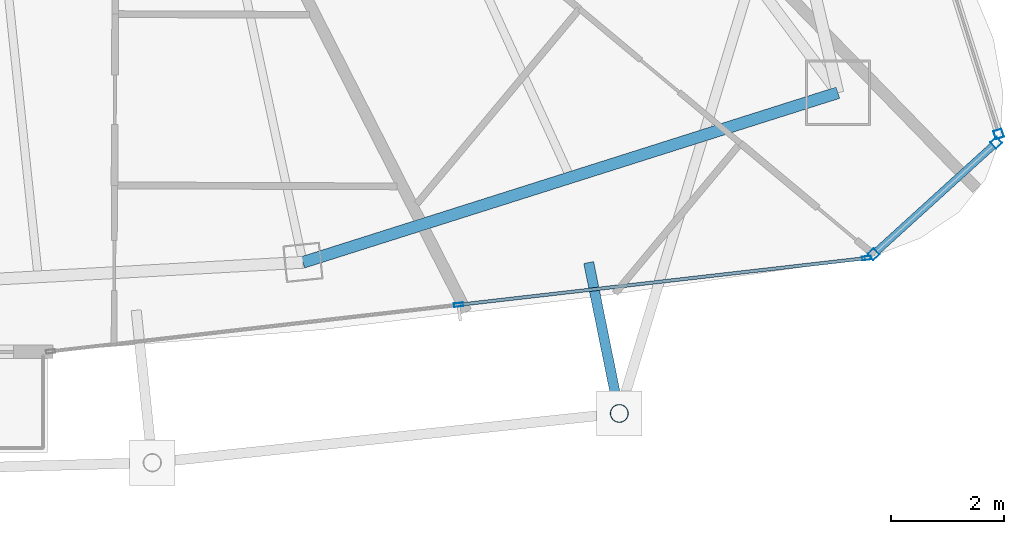
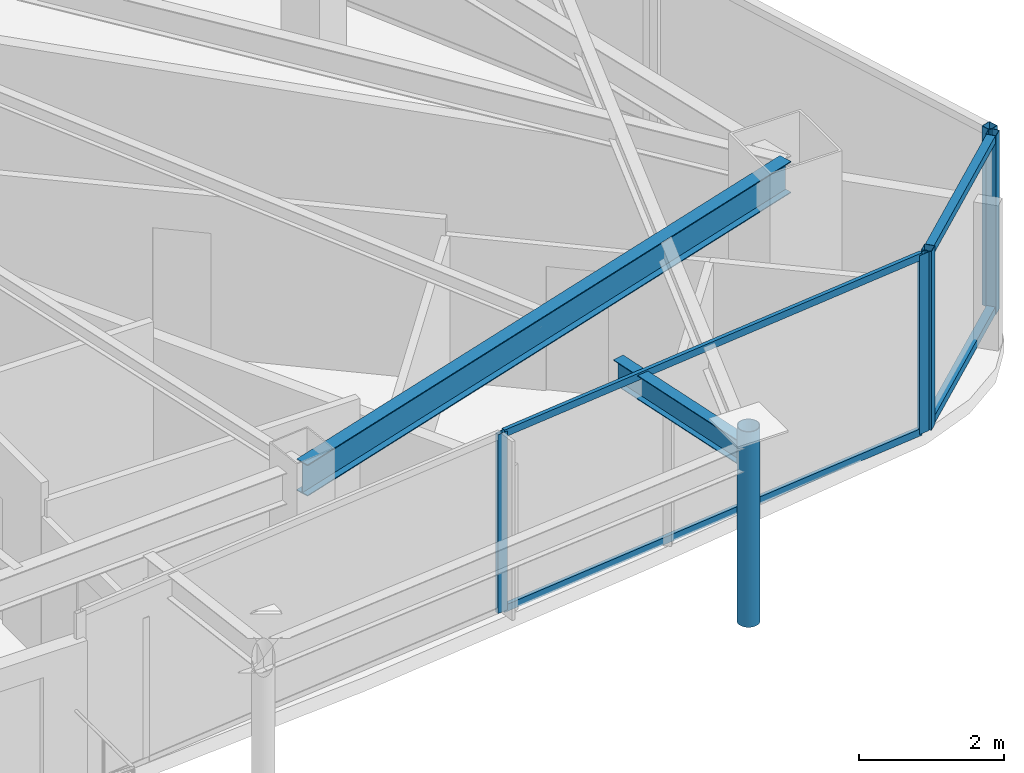
# One storey, part 14 of 30: 10 members, 2 beams, 3 elements without a shape of their own.
"""IFC4 building model written with IfcOpenShell, lengths in metres."""

from ifc_helpers import new_model, si_unit, direction, frame, origin, origin_2d, place, context, subcontext, project, spatial, hollow_rectangle, hollow_circle, i_section, extrude, material, layer, layer_set, material_profile, profile_set, type_object, element, aggregate, save


model = new_model("IFC4")

# Units and contexts
model_context = context("Model", 3, precision=1e-05, world=origin(), true_north=direction((0.0, 1.0)))
body_context = subcontext(model_context, "Body", "Model", "MODEL_VIEW")
ifc_project = project(units=[si_unit("LENGTHUNIT", "METRE"), si_unit("AREAUNIT", "SQUARE_METRE"), si_unit("VOLUMEUNIT", "CUBIC_METRE"), si_unit("PLANEANGLEUNIT", "RADIAN"), si_unit("MASSUNIT", "GRAM", prefix="KILO")], contexts=[model_context])

# Site, building, storey
site_placement = place(None, origin())
site = spatial("IfcSite", under=ifc_project, at=site_placement, CompositionType="ELEMENT")
building_placement = place(site_placement, origin())
building = spatial("IfcBuilding", under=site, at=building_placement, Name="Orvanel Arch Residences", CompositionType="ELEMENT")
storey_placement = place(building_placement, frame((0.0, 0.0, 273.35009765625)))
storey = spatial("IfcBuildingStorey", under=building, at=storey_placement, Name="L78", CompositionType="ELEMENT", Elevation=273.35009765625)

# Curtain wall, members
ifc_material_1 = material(Name="Bronze-anodised aluminium AA6063-T6", Category="aluminium")
ifc_layer_1 = layer(ifc_material_1, 0.18994140625)
ifc_layer_set_1 = layer_set([ifc_layer_1], Name="Bronze-anodised aluminium AA6063-T6")
curtain_wall_type_1 = type_object("IfcCurtainWallType", Name="CW5-CRN-SYS", PredefinedType="NOTDEFINED", material=ifc_layer_set_1)
curtain_wall_1_placement = place(storey_placement, origin())
curtain_wall_1 = element("IfcCurtainWall", 1, at=curtain_wall_1_placement, inside=storey, type_object=curtain_wall_type_1, Name="L78 CW5-CRN-SYS Unitised Curtain Wall", PredefinedType="NOTDEFINED")
ifc_material_profile_1 = material_profile(ifc_material_1, hollow_rectangle(XDim=0.14990234375, YDim=0.14990234375, WallThickness=0.0048828125, at=origin_2d()), Name="ALU150x150x5")
ifc_profile_set_1 = profile_set([ifc_material_profile_1], Name="Bronze-anodised aluminium AA6063-T6")
member_type_1 = type_object("IfcMemberType", Name="MUL-150x150", PredefinedType="MULLION", material=ifc_profile_set_1)
member_1_placement = place(storey_placement, frame((52.431396484375, 7.49951171875, 0.0), z_axis=(0.0, 0.0, 1.0), x_axis=(-0.672349393013, 0.74023394526, 0.0)))
member_1 = element("IfcMember", 2, at=member_1_placement, type_object=member_type_1, Name="CW-S5 mullion 1", PredefinedType="MULLION", context=body_context, shape_type="SweptSolid", body=[
    extrude(hollow_rectangle(XDim=0.14990234375, YDim=0.14990234375, WallThickness=0.0048828125, at=origin_2d()), origin(), (0.0, 0.0, 1.0), 3.02001953125),
])
member_2_placement = place(storey_placement, frame((54.599365234375, 9.468505859375, 0.0), z_axis=(0.0, 0.0, 1.0), x_axis=(-0.672349393013, 0.74023394526, 0.0)))
member_2 = element("IfcMember", 3, at=member_2_placement, type_object=member_type_1, Name="CW-S5 mullion 2", PredefinedType="MULLION", context=body_context, shape_type="SweptSolid", body=[
    extrude(hollow_rectangle(XDim=0.14990234375, YDim=0.14990234375, WallThickness=0.0048828125, at=origin_2d()), origin(), (0.0, 0.0, 1.0), 3.02001953125),
])

# Curtain wall, member
curtain_wall_2_placement = place(storey_placement, origin())
curtain_wall_2 = element("IfcCurtainWall", 4, at=curtain_wall_2_placement, inside=storey, type_object=curtain_wall_type_1, Name="L78 CW5-CRN-SYS Unitised Curtain Wall", PredefinedType="NOTDEFINED")
member_3_placement = place(storey_placement, frame((54.641357421875, 9.62255859375, 0.0), z_axis=(0.0, 0.0, 1.0), x_axis=(-0.953722136358, -0.300689352356, 0.0)))
member_3 = element("IfcMember", 5, at=member_3_placement, type_object=member_type_1, Name="CW-S5 mullion 1", PredefinedType="MULLION", context=body_context, shape_type="SweptSolid", body=[
    extrude(hollow_rectangle(XDim=0.14990234375, YDim=0.14990234375, WallThickness=0.0048828125, at=origin_2d()), origin(), (0.0, 0.0, 1.0), 3.02001953125),
])
aggregate(curtain_wall_2, [member_3])

# Curtain wall, members
ifc_layer_2 = layer(ifc_material_1, 0.175048828125)
ifc_layer_set_2 = layer_set([ifc_layer_2], Name="Bronze-anodised aluminium AA6063-T6")
curtain_wall_type_2 = type_object("IfcCurtainWallType", Name="CW4-HI-SYS", PredefinedType="NOTDEFINED", material=ifc_layer_set_2)
curtain_wall_3_placement = place(storey_placement, origin())
curtain_wall_3 = element("IfcCurtainWall", 6, at=curtain_wall_3_placement, inside=storey, type_object=curtain_wall_type_2, Name="L78 CW4-HI-SYS Unitised Curtain Wall", PredefinedType="NOTDEFINED")
ifc_material_profile_2 = material_profile(ifc_material_1, hollow_rectangle(XDim=0.06494140625, YDim=0.159912109375, WallThickness=0.00390625, at=origin_2d()), Name="ALU160x65x4")
ifc_profile_set_2 = profile_set([ifc_material_profile_2], Name="Bronze-anodised aluminium AA6063-T6")
member_type_2 = type_object("IfcMemberType", Name="MUL-160x65", PredefinedType="MULLION", material=ifc_profile_set_2)
member_4_placement = place(storey_placement, frame((45.1005859375, 6.60498046875, 0.0), z_axis=(0.0, 0.0, 1.0), x_axis=(-0.113751693375, 0.993509210956, 0.0)))
member_4 = element("IfcMember", 7, at=member_4_placement, type_object=member_type_2, Name="CW-S4 mullion 2", PredefinedType="MULLION", context=body_context, shape_type="SweptSolid", body=[
    extrude(hollow_rectangle(XDim=0.06494140625, YDim=0.159912109375, WallThickness=0.00390625, at=origin_2d()), origin(), (0.0, 0.0, 1.0), 3.02001953125),
])
member_5_placement = place(storey_placement, frame((52.30859375, 7.430419921875, 0.0), z_axis=(0.0, 0.0, 1.0), x_axis=(-0.113751693375, 0.993509210956, 0.0)))
member_5 = element("IfcMember", 8, at=member_5_placement, type_object=member_type_2, Name="CW-S4 mullion 3", PredefinedType="MULLION", context=body_context, shape_type="SweptSolid", body=[
    extrude(hollow_rectangle(XDim=0.06494140625, YDim=0.159912109375, WallThickness=0.00390625, at=origin_2d()), origin(), (0.0, 0.0, 1.0), 3.02001953125),
])

# Beams
ifc_material_2 = material(Name="Structural steel AS/NZS 3679.1 Grade 300 (300 MPa)", Category="steel")
ifc_material_profile_3 = material_profile(ifc_material_2, i_section(OverallWidth=0.177978515625, OverallDepth=0.406005859375, WebThickness=0.0078125, FlangeThickness=0.0126953125, at=origin_2d()), Name="410UB59.7")
ifc_profile_set_3 = profile_set([ifc_material_profile_3], Name="Structural steel AS/NZS 3679.1 Grade 300 (300 MPa)")
beam_type_1 = type_object("IfcBeamType", Name="OB-410UB-EXT", PredefinedType="SPANDREL", material=ifc_profile_set_3)
beam_1_placement = place(storey_placement, frame((47.39892578125, 7.35205078125, 2.81689453125), z_axis=(0.198876767768, -0.980024505429, 0.0), x_axis=(0.980024505429, 0.198876767768, 0.0)))
element("IfcBeam", 9, at=beam_1_placement, inside=storey, type_object=beam_type_1, Name="L78 Outer Frame Radial Tie Beam 08", PredefinedType="SPANDREL", context=body_context, shape_type="SweptSolid", body=[
    extrude(i_section(OverallWidth=0.177978515625, OverallDepth=0.406005859375, WebThickness=0.0078125, FlangeThickness=0.0126953125, at=origin_2d()), origin(), (0.0, 0.0, 1.0), 2.720458984375),
])
ifc_material_profile_4 = material_profile(ifc_material_2, i_section(OverallWidth=0.208984375, OverallDepth=0.532958984375, WebThickness=0.01025390625, FlangeThickness=0.015625, at=origin_2d()), Name="530UB92.4")
ifc_profile_set_4 = profile_set([ifc_material_profile_4], Name="Structural steel AS/NZS 3679.1 Grade 300 (300 MPa)")
beam_type_2 = type_object("IfcBeamType", Name="SP-530UB", PredefinedType="SPANDREL", material=ifc_profile_set_4)
beam_2_placement = place(storey_placement, frame((42.35107421875, 7.35498046875, 2.7529296875), z_axis=(0.953237386592, 0.302222574941, 0.0), x_axis=(-0.302222574941, 0.953237386592, 0.0)))
element("IfcBeam", 10, at=beam_2_placement, inside=storey, type_object=beam_type_2, Name="L78 Perimeter Spandrel Beam 05", PredefinedType="SPANDREL", context=body_context, shape_type="SweptSolid", body=[
    extrude(i_section(OverallWidth=0.208984375, OverallDepth=0.532958984375, WebThickness=0.01025390625, FlangeThickness=0.015625, at=origin_2d()), origin(), (0.0, 0.0, 1.0), 9.91357421875),
])

# Member
ifc_material_3 = material(Name="Structural steel AS/NZS 1163 C350L0 (Grade 350)", Category="steel")
ifc_material_profile_5 = material_profile(ifc_material_3, hollow_circle(Radius=0.162109375, WallThickness=0.0126953125, at=origin_2d()), Name="CHS324x12.7")
ifc_profile_set_5 = profile_set([ifc_material_profile_5], Name="Structural steel AS/NZS 1163 C350L0 (Grade 350)")
member_type_3 = type_object("IfcMemberType", Name="ST-324CHS-EXT", PredefinedType="STRUT", material=ifc_profile_set_5)
member_6_placement = place(storey_placement, frame((47.93994140625, 4.68603515625, 0.0), z_axis=(0.0, 0.0, 1.0), x_axis=(1.0, 0.0, 0.0)))
element("IfcMember", 11, at=member_6_placement, inside=storey, type_object=member_type_3, Name="L78 Outer Perimeter Frame Post 08", PredefinedType="STRUT", context=body_context, shape_type="SweptSolid", body=[
    extrude(hollow_circle(Radius=0.162109375, WallThickness=0.0126953125, at=origin_2d()), origin(), (0.0, 0.0, 1.0), 3.2998046875),
])

ifc_material_profile_6 = material_profile(ifc_material_1, hollow_rectangle(XDim=0.06005859375, YDim=0.1201171875, WallThickness=0.00341796875, at=origin_2d()), Name="ALU120x60x3.5")
ifc_profile_set_6 = profile_set([ifc_material_profile_6], Name="Bronze-anodised aluminium AA6063-T6")
member_type_4 = type_object("IfcMemberType", Name="TRN-120x60", PredefinedType="USERDEFINED", material=ifc_profile_set_6)
member_7_placement = place(storey_placement, frame((45.1328125, 6.608642578125, 0.02978515625), z_axis=(0.99350966938, 0.11374768942, 0.0), x_axis=(-0.11374768942, 0.99350966938, 0.0)))
member_7 = element("IfcMember", 12, at=member_7_placement, type_object=member_type_4, Name="CW-S4 transom 2.1", ObjectType="TRANSOM", PredefinedType="USERDEFINED", context=body_context, shape_type="SweptSolid", body=[
    extrude(hollow_rectangle(XDim=0.06005859375, YDim=0.1201171875, WallThickness=0.00341796875, at=origin_2d()), origin(), (0.0, 0.0, 1.0), 7.190185546875),
])

member_8_placement = place(storey_placement, frame((45.1328125, 6.608642578125, 2.989990234375), z_axis=(0.99350966938, 0.11374768942, 0.0), x_axis=(-0.11374768942, 0.99350966938, 0.0)))
member_8 = element("IfcMember", 13, at=member_8_placement, type_object=member_type_4, Name="CW-S4 transom 2.2", ObjectType="TRANSOM", PredefinedType="USERDEFINED", context=body_context, shape_type="SweptSolid", body=[
    extrude(hollow_rectangle(XDim=0.06005859375, YDim=0.1201171875, WallThickness=0.00341796875, at=origin_2d()), origin(), (0.0, 0.0, 1.0), 7.190185546875),
])

aggregate(curtain_wall_3, [member_4, member_5, member_7, member_8])

ifc_material_profile_7 = material_profile(ifc_material_1, hollow_rectangle(XDim=0.1298828125, YDim=0.1298828125, WallThickness=0.00439453125, at=origin_2d()), Name="ALU130x130x4.5")
ifc_profile_set_7 = profile_set([ifc_material_profile_7], Name="Bronze-anodised aluminium AA6063-T6")
member_type_5 = type_object("IfcMemberType", Name="TRN-130x130", PredefinedType="USERDEFINED", material=ifc_profile_set_7)
member_9_placement = place(storey_placement, frame((52.487060546875, 7.5498046875, 0.06494140625), z_axis=(0.7402063732, 0.672379747668, 0.0), x_axis=(-0.672379747668, 0.7402063732, 0.0)))
member_9 = element("IfcMember", 14, at=member_9_placement, type_object=member_type_5, Name="CW-S5 transom 1.1", ObjectType="TRANSOM", PredefinedType="USERDEFINED", context=body_context, shape_type="SweptSolid", body=[
    extrude(hollow_rectangle(XDim=0.1298828125, YDim=0.1298828125, WallThickness=0.00439453125, at=origin_2d()), origin(), (0.0, 0.0, 1.0), 2.77880859375),
])

member_10_placement = place(storey_placement, frame((52.487060546875, 7.5498046875, 2.954833984375), z_axis=(0.7402063732, 0.672379747668, 0.0), x_axis=(-0.672379747668, 0.7402063732, 0.0)))
member_10 = element("IfcMember", 15, at=member_10_placement, type_object=member_type_5, Name="CW-S5 transom 1.2", ObjectType="TRANSOM", PredefinedType="USERDEFINED", context=body_context, shape_type="SweptSolid", body=[
    extrude(hollow_rectangle(XDim=0.1298828125, YDim=0.1298828125, WallThickness=0.00439453125, at=origin_2d()), origin(), (0.0, 0.0, 1.0), 2.77880859375),
])

aggregate(curtain_wall_1, [member_1, member_2, member_9, member_10])

save(model, "model.ifc")
